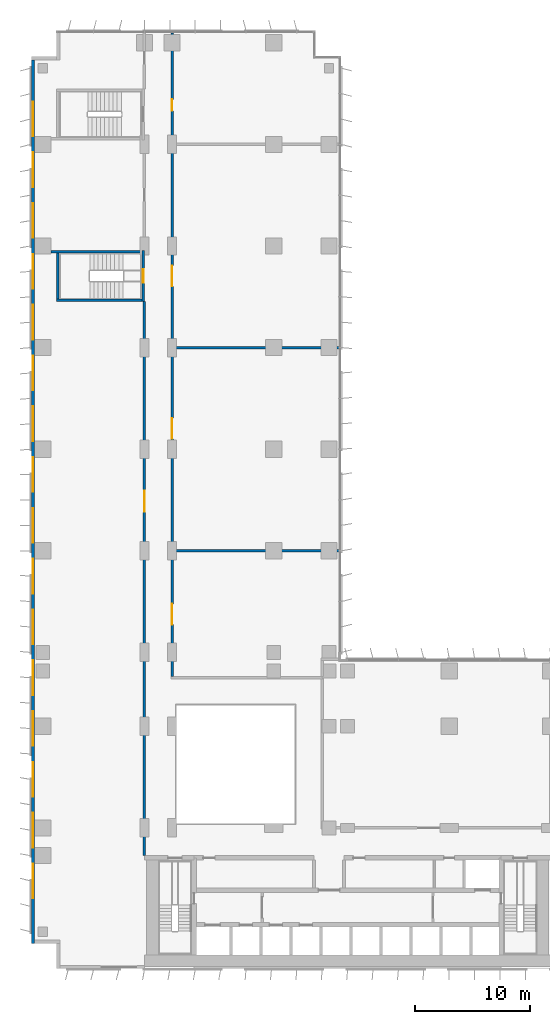
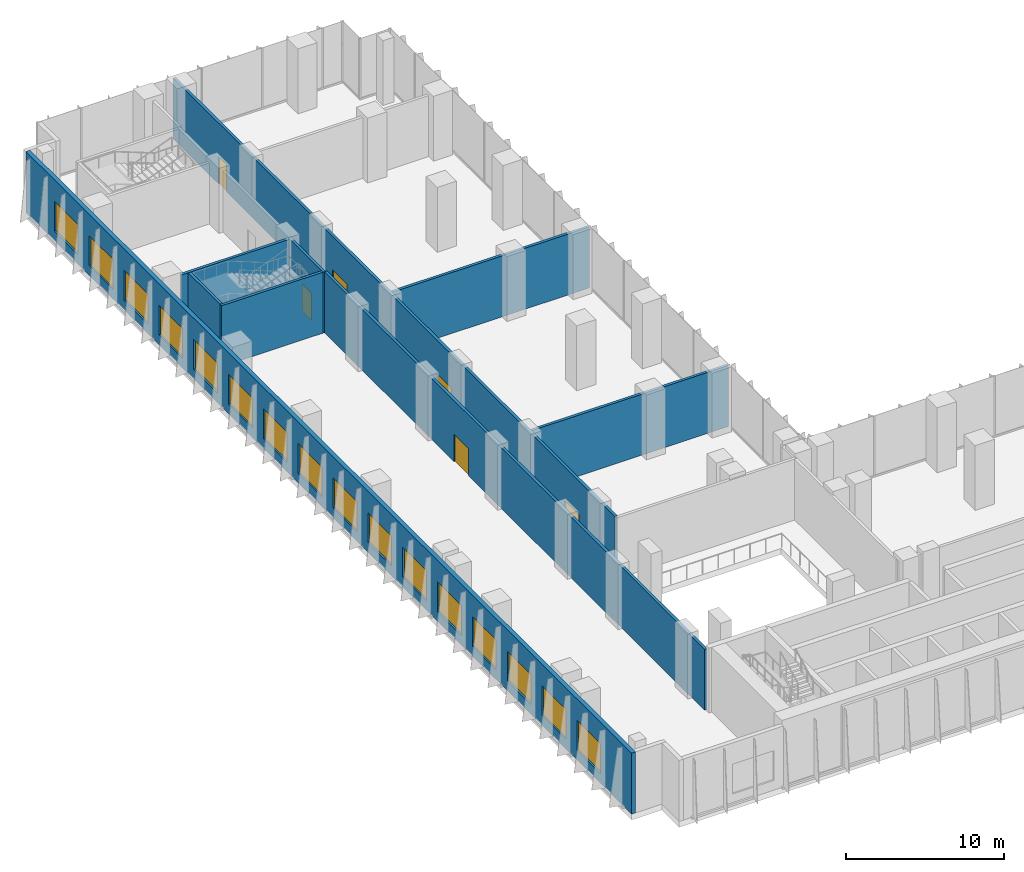
# One storey, part 14 of 23: 16 windows, 9 walls, 6 doors, 22 openings.
"""IFC4 building model written with IfcOpenShell, lengths in metres."""

from ifc_helpers import new_model, si_unit, direction, frame, frame_2d, origin, place, context, subcontext, project, spatial, rectangle, extrude, material, layer, layer_set, type_object, element, fill, save


model = new_model("IFC4")

# Units and contexts
model_context = context("Model", 3, precision=1e-05, world=origin(), true_north=direction((0.0, 1.0)))
body_context = subcontext(model_context, "Body", "Model", "MODEL_VIEW")
ifc_project = project(units=[si_unit("LENGTHUNIT", "METRE"), si_unit("AREAUNIT", "SQUARE_METRE"), si_unit("VOLUMEUNIT", "CUBIC_METRE"), si_unit("PLANEANGLEUNIT", "RADIAN"), si_unit("MASSUNIT", "GRAM", prefix="KILO")], contexts=[model_context])

# Site, building, storey
site_placement = place(None, origin())
site = spatial("IfcSite", under=ifc_project, at=site_placement, CompositionType="ELEMENT")
building_placement = place(site_placement, origin())
building = spatial("IfcBuilding", under=site, at=building_placement, Name="Kemantara Hotel Tower", CompositionType="ELEMENT")
storey_placement = place(building_placement, frame((0.0, 0.0, 71.0)))
storey = spatial("IfcBuildingStorey", under=building, at=storey_placement, Name="L16", CompositionType="ELEMENT", Elevation=71.0)

# Wall, openings, windows
ifc_material_1 = material(Name="Bronze anodised aluminium cladding on insulated steel stud wall", Category="steel")
ifc_layer_1 = layer(ifc_material_1, 0.300048828125)
ifc_layer_set_1 = layer_set([ifc_layer_1], Name="Bronze anodised aluminium cladding on insulated steel stud wall")
wall_type_1 = type_object("IfcWallType", Name="BRONZE METAL-CLAD EXTERNAL WALL 300", PredefinedType="STANDARD", material=ifc_layer_set_1)
wall_1_placement = place(storey_placement, frame((0.14990234375, 78.699951171875, 0.0), z_axis=(0.0, 0.0, 1.0), x_axis=(0.0, -1.0, 0.0)))
wall_1 = element("IfcWall", 1, at=wall_1_placement, inside=storey, type_object=wall_type_1, Name="EXTERNAL WALL L16 T1-R14", PredefinedType="STANDARD", context=body_context, shape_type="SweptSolid", body=[
    extrude(rectangle(XDim=76.5, YDim=0.300048828125, at=frame_2d((38.25, 0.0))), origin(), (0.0, 0.0, 1.0), 4.699951171875),
])
opening_1_placement = place(wall_1_placement, frame((3.60009765625, 0.0, 0.75)))
opening_1 = element("IfcOpeningElement", 2, at=opening_1_placement, cuts=wall_1, Name="Opening W1", PredefinedType="OPENING", context=body_context, shape_type="SweptSolid", body=[
    extrude(rectangle(XDim=3.0, YDim=2.300048828125, at=frame_2d((1.5, 1.14990234375))), frame((0.0, 0.159912109375, 0.0), z_axis=(0.0, -1.0, 0.0), x_axis=(1.0, 0.0, 0.0)), (0.0, 0.0, 1.0), 0.320068359375),
])
opening_2_placement = place(wall_1_placement, frame((8.0, 0.0, 0.75)))
opening_2 = element("IfcOpeningElement", 3, at=opening_2_placement, cuts=wall_1, Name="Opening W1", PredefinedType="OPENING", context=body_context, shape_type="SweptSolid", body=[
    extrude(rectangle(XDim=3.0, YDim=2.300048828125, at=frame_2d((1.5, 1.14990234375))), frame((0.0, 0.159912109375, 0.0), z_axis=(0.0, -1.0, 0.0), x_axis=(1.0, 0.0, 0.0)), (0.0, 0.0, 1.0), 0.320068359375),
])
opening_3_placement = place(wall_1_placement, frame((12.39990234375, 0.0, 0.75)))
opening_3 = element("IfcOpeningElement", 4, at=opening_3_placement, cuts=wall_1, Name="Opening W1", PredefinedType="OPENING", context=body_context, shape_type="SweptSolid", body=[
    extrude(rectangle(XDim=3.0, YDim=2.300048828125, at=frame_2d((1.5, 1.14990234375))), frame((0.0, 0.159912109375, 0.0), z_axis=(0.0, -1.0, 0.0), x_axis=(1.0, 0.0, 0.0)), (0.0, 0.0, 1.0), 0.320068359375),
])
opening_4_placement = place(wall_1_placement, frame((16.800048828125, 0.0, 0.75)))
opening_4 = element("IfcOpeningElement", 5, at=opening_4_placement, cuts=wall_1, Name="Opening W1", PredefinedType="OPENING", context=body_context, shape_type="SweptSolid", body=[
    extrude(rectangle(XDim=3.0, YDim=2.300048828125, at=frame_2d((1.5, 1.14990234375))), frame((0.0, 0.159912109375, 0.0), z_axis=(0.0, -1.0, 0.0), x_axis=(1.0, 0.0, 0.0)), (0.0, 0.0, 1.0), 0.320068359375),
])
opening_5_placement = place(wall_1_placement, frame((21.199951171875, 0.0, 0.75)))
opening_5 = element("IfcOpeningElement", 6, at=opening_5_placement, cuts=wall_1, Name="Opening W1", PredefinedType="OPENING", context=body_context, shape_type="SweptSolid", body=[
    extrude(rectangle(XDim=3.0, YDim=2.300048828125, at=frame_2d((1.5, 1.14990234375))), frame((0.0, 0.159912109375, 0.0), z_axis=(0.0, -1.0, 0.0), x_axis=(1.0, 0.0, 0.0)), (0.0, 0.0, 1.0), 0.320068359375),
])
opening_6_placement = place(wall_1_placement, frame((25.60009765625, 0.0, 0.75)))
opening_6 = element("IfcOpeningElement", 7, at=opening_6_placement, cuts=wall_1, Name="Opening W1", PredefinedType="OPENING", context=body_context, shape_type="SweptSolid", body=[
    extrude(rectangle(XDim=3.0, YDim=2.300048828125, at=frame_2d((1.5, 1.14990234375))), frame((0.0, 0.159912109375, 0.0), z_axis=(0.0, -1.0, 0.0), x_axis=(1.0, 0.0, 0.0)), (0.0, 0.0, 1.0), 0.320068359375),
])
opening_7_placement = place(wall_1_placement, frame((30.0, 0.0, 0.75)))
opening_7 = element("IfcOpeningElement", 8, at=opening_7_placement, cuts=wall_1, Name="Opening W1", PredefinedType="OPENING", context=body_context, shape_type="SweptSolid", body=[
    extrude(rectangle(XDim=3.0, YDim=2.300048828125, at=frame_2d((1.5, 1.14990234375))), frame((0.0, 0.159912109375, 0.0), z_axis=(0.0, -1.0, 0.0), x_axis=(1.0, 0.0, 0.0)), (0.0, 0.0, 1.0), 0.320068359375),
])
opening_8_placement = place(wall_1_placement, frame((34.39990234375, 0.0, 0.75)))
opening_8 = element("IfcOpeningElement", 9, at=opening_8_placement, cuts=wall_1, Name="Opening W1", PredefinedType="OPENING", context=body_context, shape_type="SweptSolid", body=[
    extrude(rectangle(XDim=3.0, YDim=2.300048828125, at=frame_2d((1.5, 1.14990234375))), frame((0.0, 0.159912109375, 0.0), z_axis=(0.0, -1.0, 0.0), x_axis=(1.0, 0.0, 0.0)), (0.0, 0.0, 1.0), 0.320068359375),
])
opening_9_placement = place(wall_1_placement, frame((38.800048828125, 0.0, 0.75)))
opening_9 = element("IfcOpeningElement", 10, at=opening_9_placement, cuts=wall_1, Name="Opening W1", PredefinedType="OPENING", context=body_context, shape_type="SweptSolid", body=[
    extrude(rectangle(XDim=3.0, YDim=2.300048828125, at=frame_2d((1.5, 1.14990234375))), frame((0.0, 0.159912109375, 0.0), z_axis=(0.0, -1.0, 0.0), x_axis=(1.0, 0.0, 0.0)), (0.0, 0.0, 1.0), 0.320068359375),
])
opening_10_placement = place(wall_1_placement, frame((43.199951171875, 0.0, 0.75)))
opening_10 = element("IfcOpeningElement", 11, at=opening_10_placement, cuts=wall_1, Name="Opening W1", PredefinedType="OPENING", context=body_context, shape_type="SweptSolid", body=[
    extrude(rectangle(XDim=3.0, YDim=2.300048828125, at=frame_2d((1.5, 1.14990234375))), frame((0.0, 0.159912109375, 0.0), z_axis=(0.0, -1.0, 0.0), x_axis=(1.0, 0.0, 0.0)), (0.0, 0.0, 1.0), 0.320068359375),
])
opening_11_placement = place(wall_1_placement, frame((47.60009765625, 0.0, 0.75)))
opening_11 = element("IfcOpeningElement", 12, at=opening_11_placement, cuts=wall_1, Name="Opening W1", PredefinedType="OPENING", context=body_context, shape_type="SweptSolid", body=[
    extrude(rectangle(XDim=3.0, YDim=2.300048828125, at=frame_2d((1.5, 1.14990234375))), frame((0.0, 0.159912109375, 0.0), z_axis=(0.0, -1.0, 0.0), x_axis=(1.0, 0.0, 0.0)), (0.0, 0.0, 1.0), 0.320068359375),
])
opening_12_placement = place(wall_1_placement, frame((52.0, 0.0, 0.75)))
opening_12 = element("IfcOpeningElement", 13, at=opening_12_placement, cuts=wall_1, Name="Opening W1", PredefinedType="OPENING", context=body_context, shape_type="SweptSolid", body=[
    extrude(rectangle(XDim=3.0, YDim=2.300048828125, at=frame_2d((1.5, 1.14990234375))), frame((0.0, 0.159912109375, 0.0), z_axis=(0.0, -1.0, 0.0), x_axis=(1.0, 0.0, 0.0)), (0.0, 0.0, 1.0), 0.320068359375),
])
opening_13_placement = place(wall_1_placement, frame((56.39990234375, 0.0, 0.75)))
opening_13 = element("IfcOpeningElement", 14, at=opening_13_placement, cuts=wall_1, Name="Opening W1", PredefinedType="OPENING", context=body_context, shape_type="SweptSolid", body=[
    extrude(rectangle(XDim=3.0, YDim=2.300048828125, at=frame_2d((1.5, 1.14990234375))), frame((0.0, 0.159912109375, 0.0), z_axis=(0.0, -1.0, 0.0), x_axis=(1.0, 0.0, 0.0)), (0.0, 0.0, 1.0), 0.320068359375),
])
opening_14_placement = place(wall_1_placement, frame((60.800048828125, 0.0, 0.75)))
opening_14 = element("IfcOpeningElement", 15, at=opening_14_placement, cuts=wall_1, Name="Opening W1", PredefinedType="OPENING", context=body_context, shape_type="SweptSolid", body=[
    extrude(rectangle(XDim=3.0, YDim=2.300048828125, at=frame_2d((1.5, 1.14990234375))), frame((0.0, 0.159912109375, 0.0), z_axis=(0.0, -1.0, 0.0), x_axis=(1.0, 0.0, 0.0)), (0.0, 0.0, 1.0), 0.320068359375),
])
opening_15_placement = place(wall_1_placement, frame((65.199951171875, 0.0, 0.75)))
opening_15 = element("IfcOpeningElement", 16, at=opening_15_placement, cuts=wall_1, Name="Opening W1", PredefinedType="OPENING", context=body_context, shape_type="SweptSolid", body=[
    extrude(rectangle(XDim=3.0, YDim=2.300048828125, at=frame_2d((1.5, 1.14990234375))), frame((0.0, 0.159912109375, 0.0), z_axis=(0.0, -1.0, 0.0), x_axis=(1.0, 0.0, 0.0)), (0.0, 0.0, 1.0), 0.320068359375),
])
opening_16_placement = place(wall_1_placement, frame((69.60009765625, 0.0, 0.75)))
opening_16 = element("IfcOpeningElement", 17, at=opening_16_placement, cuts=wall_1, Name="Opening W1", PredefinedType="OPENING", context=body_context, shape_type="SweptSolid", body=[
    extrude(rectangle(XDim=3.0, YDim=2.300048828125, at=frame_2d((1.5, 1.14990234375))), frame((0.0, 0.159912109375, 0.0), z_axis=(0.0, -1.0, 0.0), x_axis=(1.0, 0.0, 0.0)), (0.0, 0.0, 1.0), 0.320068359375),
])
ifc_material_2 = material(Name="Low-E tinted double insulated glass in bronze anodised aluminium frame", Category="aluminium")
window_type = type_object("IfcWindowType", Name="CHICAGO WINDOW, TRIPLE PANEL 3000x2300", PartitioningType="TRIPLE_PANEL_VERTICAL", PredefinedType="WINDOW", material=ifc_material_2)
window_1_placement = place(opening_1_placement, origin())
window_1 = element("IfcWindow", 18, at=window_1_placement, inside=storey, type_object=window_type, Name="CHICAGO WINDOW L16 T1-R14-54", OverallHeight=2.300048828125, OverallWidth=3.0, PartitioningType="SINGLE_PANEL", PredefinedType="WINDOW", context=body_context, shape_type="SweptSolid", body=[
    extrude(rectangle(XDim=3.0, YDim=2.300048828125, at=frame_2d((1.5, 1.14990234375))), frame((0.0, 0.030029296875, 0.0), z_axis=(0.0, -1.0, 0.0), x_axis=(1.0, 0.0, 0.0)), (0.0, 0.0, 1.0), 0.06005859375),
])
fill(opening_1, window_1)
window_2_placement = place(opening_2_placement, origin())
window_2 = element("IfcWindow", 19, at=window_2_placement, inside=storey, type_object=window_type, Name="CHICAGO WINDOW L16 T1-R14-98", OverallHeight=2.300048828125, OverallWidth=3.0, PartitioningType="SINGLE_PANEL", PredefinedType="WINDOW", context=body_context, shape_type="SweptSolid", body=[
    extrude(rectangle(XDim=3.0, YDim=2.300048828125, at=frame_2d((1.5, 1.14990234375))), frame((0.0, 0.030029296875, 0.0), z_axis=(0.0, -1.0, 0.0), x_axis=(1.0, 0.0, 0.0)), (0.0, 0.0, 1.0), 0.06005859375),
])
fill(opening_2, window_2)
window_3_placement = place(opening_3_placement, origin())
window_3 = element("IfcWindow", 20, at=window_3_placement, inside=storey, type_object=window_type, Name="CHICAGO WINDOW L16 T1-R14-142", OverallHeight=2.300048828125, OverallWidth=3.0, PartitioningType="SINGLE_PANEL", PredefinedType="WINDOW", context=body_context, shape_type="SweptSolid", body=[
    extrude(rectangle(XDim=3.0, YDim=2.300048828125, at=frame_2d((1.5, 1.14990234375))), frame((0.0, 0.030029296875, 0.0), z_axis=(0.0, -1.0, 0.0), x_axis=(1.0, 0.0, 0.0)), (0.0, 0.0, 1.0), 0.06005859375),
])
fill(opening_3, window_3)
window_4_placement = place(opening_4_placement, origin())
window_4 = element("IfcWindow", 21, at=window_4_placement, inside=storey, type_object=window_type, Name="CHICAGO WINDOW L16 T1-R14-186", OverallHeight=2.300048828125, OverallWidth=3.0, PartitioningType="SINGLE_PANEL", PredefinedType="WINDOW", context=body_context, shape_type="SweptSolid", body=[
    extrude(rectangle(XDim=3.0, YDim=2.300048828125, at=frame_2d((1.5, 1.14990234375))), frame((0.0, 0.030029296875, 0.0), z_axis=(0.0, -1.0, 0.0), x_axis=(1.0, 0.0, 0.0)), (0.0, 0.0, 1.0), 0.06005859375),
])
fill(opening_4, window_4)
window_5_placement = place(opening_5_placement, origin())
window_5 = element("IfcWindow", 22, at=window_5_placement, inside=storey, type_object=window_type, Name="CHICAGO WINDOW L16 T1-R14-230", OverallHeight=2.300048828125, OverallWidth=3.0, PartitioningType="SINGLE_PANEL", PredefinedType="WINDOW", context=body_context, shape_type="SweptSolid", body=[
    extrude(rectangle(XDim=3.0, YDim=2.300048828125, at=frame_2d((1.5, 1.14990234375))), frame((0.0, 0.030029296875, 0.0), z_axis=(0.0, -1.0, 0.0), x_axis=(1.0, 0.0, 0.0)), (0.0, 0.0, 1.0), 0.06005859375),
])
fill(opening_5, window_5)
window_6_placement = place(opening_6_placement, origin())
window_6 = element("IfcWindow", 23, at=window_6_placement, inside=storey, type_object=window_type, Name="CHICAGO WINDOW L16 T1-R14-274", OverallHeight=2.300048828125, OverallWidth=3.0, PartitioningType="SINGLE_PANEL", PredefinedType="WINDOW", context=body_context, shape_type="SweptSolid", body=[
    extrude(rectangle(XDim=3.0, YDim=2.300048828125, at=frame_2d((1.5, 1.14990234375))), frame((0.0, 0.030029296875, 0.0), z_axis=(0.0, -1.0, 0.0), x_axis=(1.0, 0.0, 0.0)), (0.0, 0.0, 1.0), 0.06005859375),
])
fill(opening_6, window_6)
window_7_placement = place(opening_7_placement, origin())
window_7 = element("IfcWindow", 24, at=window_7_placement, inside=storey, type_object=window_type, Name="CHICAGO WINDOW L16 T1-R14-318", OverallHeight=2.300048828125, OverallWidth=3.0, PartitioningType="SINGLE_PANEL", PredefinedType="WINDOW", context=body_context, shape_type="SweptSolid", body=[
    extrude(rectangle(XDim=3.0, YDim=2.300048828125, at=frame_2d((1.5, 1.14990234375))), frame((0.0, 0.030029296875, 0.0), z_axis=(0.0, -1.0, 0.0), x_axis=(1.0, 0.0, 0.0)), (0.0, 0.0, 1.0), 0.06005859375),
])
fill(opening_7, window_7)
window_8_placement = place(opening_8_placement, origin())
window_8 = element("IfcWindow", 25, at=window_8_placement, inside=storey, type_object=window_type, Name="CHICAGO WINDOW L16 T1-R14-362", OverallHeight=2.300048828125, OverallWidth=3.0, PartitioningType="SINGLE_PANEL", PredefinedType="WINDOW", context=body_context, shape_type="SweptSolid", body=[
    extrude(rectangle(XDim=3.0, YDim=2.300048828125, at=frame_2d((1.5, 1.14990234375))), frame((0.0, 0.030029296875, 0.0), z_axis=(0.0, -1.0, 0.0), x_axis=(1.0, 0.0, 0.0)), (0.0, 0.0, 1.0), 0.06005859375),
])
fill(opening_8, window_8)
window_9_placement = place(opening_9_placement, origin())
window_9 = element("IfcWindow", 26, at=window_9_placement, inside=storey, type_object=window_type, Name="CHICAGO WINDOW L16 T1-R14-406", OverallHeight=2.300048828125, OverallWidth=3.0, PartitioningType="SINGLE_PANEL", PredefinedType="WINDOW", context=body_context, shape_type="SweptSolid", body=[
    extrude(rectangle(XDim=3.0, YDim=2.300048828125, at=frame_2d((1.5, 1.14990234375))), frame((0.0, 0.030029296875, 0.0), z_axis=(0.0, -1.0, 0.0), x_axis=(1.0, 0.0, 0.0)), (0.0, 0.0, 1.0), 0.06005859375),
])
fill(opening_9, window_9)
window_10_placement = place(opening_10_placement, origin())
window_10 = element("IfcWindow", 27, at=window_10_placement, inside=storey, type_object=window_type, Name="CHICAGO WINDOW L16 T1-R14-450", OverallHeight=2.300048828125, OverallWidth=3.0, PartitioningType="SINGLE_PANEL", PredefinedType="WINDOW", context=body_context, shape_type="SweptSolid", body=[
    extrude(rectangle(XDim=3.0, YDim=2.300048828125, at=frame_2d((1.5, 1.14990234375))), frame((0.0, 0.030029296875, 0.0), z_axis=(0.0, -1.0, 0.0), x_axis=(1.0, 0.0, 0.0)), (0.0, 0.0, 1.0), 0.06005859375),
])
fill(opening_10, window_10)
window_11_placement = place(opening_11_placement, origin())
window_11 = element("IfcWindow", 28, at=window_11_placement, inside=storey, type_object=window_type, Name="CHICAGO WINDOW L16 T1-R14-494", OverallHeight=2.300048828125, OverallWidth=3.0, PartitioningType="SINGLE_PANEL", PredefinedType="WINDOW", context=body_context, shape_type="SweptSolid", body=[
    extrude(rectangle(XDim=3.0, YDim=2.300048828125, at=frame_2d((1.5, 1.14990234375))), frame((0.0, 0.030029296875, 0.0), z_axis=(0.0, -1.0, 0.0), x_axis=(1.0, 0.0, 0.0)), (0.0, 0.0, 1.0), 0.06005859375),
])
fill(opening_11, window_11)
window_12_placement = place(opening_12_placement, origin())
window_12 = element("IfcWindow", 29, at=window_12_placement, inside=storey, type_object=window_type, Name="CHICAGO WINDOW L16 T1-R14-538", OverallHeight=2.300048828125, OverallWidth=3.0, PartitioningType="SINGLE_PANEL", PredefinedType="WINDOW", context=body_context, shape_type="SweptSolid", body=[
    extrude(rectangle(XDim=3.0, YDim=2.300048828125, at=frame_2d((1.5, 1.14990234375))), frame((0.0, 0.030029296875, 0.0), z_axis=(0.0, -1.0, 0.0), x_axis=(1.0, 0.0, 0.0)), (0.0, 0.0, 1.0), 0.06005859375),
])
fill(opening_12, window_12)
window_13_placement = place(opening_13_placement, origin())
window_13 = element("IfcWindow", 30, at=window_13_placement, inside=storey, type_object=window_type, Name="CHICAGO WINDOW L16 T1-R14-582", OverallHeight=2.300048828125, OverallWidth=3.0, PartitioningType="SINGLE_PANEL", PredefinedType="WINDOW", context=body_context, shape_type="SweptSolid", body=[
    extrude(rectangle(XDim=3.0, YDim=2.300048828125, at=frame_2d((1.5, 1.14990234375))), frame((0.0, 0.030029296875, 0.0), z_axis=(0.0, -1.0, 0.0), x_axis=(1.0, 0.0, 0.0)), (0.0, 0.0, 1.0), 0.06005859375),
])
fill(opening_13, window_13)
window_14_placement = place(opening_14_placement, origin())
window_14 = element("IfcWindow", 31, at=window_14_placement, inside=storey, type_object=window_type, Name="CHICAGO WINDOW L16 T1-R14-626", OverallHeight=2.300048828125, OverallWidth=3.0, PartitioningType="SINGLE_PANEL", PredefinedType="WINDOW", context=body_context, shape_type="SweptSolid", body=[
    extrude(rectangle(XDim=3.0, YDim=2.300048828125, at=frame_2d((1.5, 1.14990234375))), frame((0.0, 0.030029296875, 0.0), z_axis=(0.0, -1.0, 0.0), x_axis=(1.0, 0.0, 0.0)), (0.0, 0.0, 1.0), 0.06005859375),
])
fill(opening_14, window_14)
window_15_placement = place(opening_15_placement, origin())
window_15 = element("IfcWindow", 32, at=window_15_placement, inside=storey, type_object=window_type, Name="CHICAGO WINDOW L16 T1-R14-670", OverallHeight=2.300048828125, OverallWidth=3.0, PartitioningType="SINGLE_PANEL", PredefinedType="WINDOW", context=body_context, shape_type="SweptSolid", body=[
    extrude(rectangle(XDim=3.0, YDim=2.300048828125, at=frame_2d((1.5, 1.14990234375))), frame((0.0, 0.030029296875, 0.0), z_axis=(0.0, -1.0, 0.0), x_axis=(1.0, 0.0, 0.0)), (0.0, 0.0, 1.0), 0.06005859375),
])
fill(opening_15, window_15)
window_16_placement = place(opening_16_placement, origin())
window_16 = element("IfcWindow", 33, at=window_16_placement, inside=storey, type_object=window_type, Name="CHICAGO WINDOW L16 T1-R14-714", OverallHeight=2.300048828125, OverallWidth=3.0, PartitioningType="SINGLE_PANEL", PredefinedType="WINDOW", context=body_context, shape_type="SweptSolid", body=[
    extrude(rectangle(XDim=3.0, YDim=2.300048828125, at=frame_2d((1.5, 1.14990234375))), frame((0.0, 0.030029296875, 0.0), z_axis=(0.0, -1.0, 0.0), x_axis=(1.0, 0.0, 0.0)), (0.0, 0.0, 1.0), 0.06005859375),
])
fill(opening_16, window_16)

# Wall, opening, door
ifc_material_3 = material(Name="Concrete fc 40 MPa", Category="concrete")
ifc_layer_2 = layer(ifc_material_3, 0.199951171875)
ifc_layer_set_2 = layer_set([ifc_layer_2], Name="Concrete fc 40 MPa")
wall_type_2 = type_object("IfcWallType", Name="Concrete stair wall 200 mm", PredefinedType="SHEAR", material=ifc_layer_set_2)
wall_2_placement = place(storey_placement, frame((9.699951171875, 57.800048828125, 0.0), z_axis=(0.0, 0.0, 1.0), x_axis=(0.0, 1.0, 0.0)))
wall_2 = element("IfcWall", 34, at=wall_2_placement, inside=storey, type_object=wall_type_2, Name="Stair ST4 enclosure wall with door", PredefinedType="SHEAR", context=body_context, shape_type="SweptSolid", body=[
    extrude(rectangle(XDim=4.39990234375, YDim=0.199951171875, at=frame_2d((2.199951171875, 0.0))), origin(), (0.0, 0.0, 1.0), 4.699951171875),
])
opening_17_placement = place(wall_2_placement, frame((1.60009765625, 0.0, 0.0)))
opening_17 = element("IfcOpeningElement", 35, at=opening_17_placement, cuts=wall_2, Name="Opening ST4-C", PredefinedType="OPENING", context=body_context, shape_type="SweptSolid", body=[
    extrude(rectangle(XDim=1.199951171875, YDim=2.10009765625, at=frame_2d((0.60009765625, 1.050048828125))), frame((0.0, 0.10986328125, 0.0), z_axis=(0.0, -1.0, 0.0), x_axis=(1.0, 0.0, 0.0)), (0.0, 0.0, 1.0), 0.219970703125),
])
ifc_material_4 = material(Name="Steel fire door", Category="steel")
door_type_1 = type_object("IfcDoorType", Name="Fire door FD90 1200 x 2100", OperationType="NOTDEFINED", PredefinedType="DOOR", material=ifc_material_4)
door_1_placement = place(opening_17_placement, origin())
door_1 = element("IfcDoor", 36, at=door_1_placement, inside=storey, type_object=door_type_1, Name="Stair ST4 door", OperationType="SINGLE_SWING_RIGHT", OverallHeight=2.10009765625, OverallWidth=1.199951171875, PredefinedType="DOOR", context=body_context, shape_type="SweptSolid", body=[
    extrude(rectangle(XDim=1.199951171875, YDim=2.10009765625, at=frame_2d((0.60009765625, 1.050048828125))), frame((0.0, 0.02490234375, 0.0), z_axis=(0.0, -1.0, 0.0), x_axis=(1.0, 0.0, 0.0)), (0.0, 0.0, 1.0), 0.050048828125),
])
fill(opening_17, door_1)

# Walls
wall_3_placement = place(storey_placement, frame((1.699951171875, 62.10009765625, 0.0), z_axis=(0.0, 0.0, 1.0), x_axis=(1.0, 0.0, 0.0)))
element("IfcWall", 37, at=wall_3_placement, inside=storey, type_object=wall_type_2, Name="Stair ST4 enclosure wall N", PredefinedType="SHEAR", context=body_context, shape_type="SweptSolid", body=[
    extrude(rectangle(XDim=7.900146484375, YDim=0.199951171875, at=frame_2d((3.9501953125, 0.0))), origin(), (0.0, 0.0, 1.0), 4.699951171875),
])
wall_4_placement = place(storey_placement, frame((2.199951171875, 57.89990234375, 0.0), z_axis=(0.0, 0.0, 1.0), x_axis=(1.0, 0.0, 0.0)))
element("IfcWall", 38, at=wall_4_placement, inside=storey, type_object=wall_type_2, Name="Stair ST4 enclosure wall S", PredefinedType="SHEAR", context=body_context, shape_type="SweptSolid", body=[
    extrude(rectangle(XDim=7.400146484375, YDim=0.199951171875, at=frame_2d((3.7001953125, 0.0))), origin(), (0.0, 0.0, 1.0), 4.699951171875),
])
wall_5_placement = place(storey_placement, frame((2.300048828125, 58.0, 0.0), z_axis=(0.0, 0.0, 1.0), x_axis=(0.0, 1.0, 0.0)))
element("IfcWall", 39, at=wall_5_placement, inside=storey, type_object=wall_type_2, Name="Stair ST4 enclosure wall W", PredefinedType="SHEAR", context=body_context, shape_type="SweptSolid", body=[
    extrude(rectangle(XDim=4.0, YDim=0.199951171875, at=frame_2d((2.0, 0.0))), origin(), (0.0, 0.0, 1.0), 4.699951171875),
])
ifc_material_5 = material(Name="Clay brick masonry", Category="masonry")
ifc_layer_3 = layer(ifc_material_5, 0.199951171875)
ifc_layer_set_3 = layer_set([ifc_layer_3], Name="Clay brick masonry")
wall_type_3 = type_object("IfcWallType", Name="FIRE-RATED CLAY BRICK WALL 200 EI 120", PredefinedType="PARTITIONING", material=ifc_layer_set_3)
for number, where, z_axis, x_axis, name in (
    (40, (12.300048828125, 36.199951171875, 0.0), (0.0, 0.0, 1.0), (1.0, 0.0, 0.0), "FIRE WALL"),
    (41, (12.300048828125, 53.800048828125, 0.0), (0.0, 0.0, 1.0), (1.0, 0.0, 0.0), "FIRE WALL"),
):
    element("IfcWall", number, at=place(storey_placement, frame(where, z_axis=z_axis, x_axis=x_axis)), inside=storey, type_object=wall_type_3, Name=name, PredefinedType="PARTITIONING", context=body_context, shape_type="SweptSolid", body=[
        extrude(rectangle(XDim=14.349853515625, YDim=0.199951171875, at=frame_2d((7.1748046875, 0.0))), origin(), (0.0, 0.0, 1.0), 4.699951171875),
    ])

# Wall, opening, door
ifc_material_6 = material(Name="Fire-rated gypsum board partition")
ifc_layer_4 = layer(ifc_material_6, 0.199951171875)
ifc_layer_set_4 = layer_set([ifc_layer_4], Name="Fire-rated gypsum board partition")
wall_type_4 = type_object("IfcWallType", Name="FIRE-RATED GYPSUM PARTITION 200 EI 60", PredefinedType="PARTITIONING", material=ifc_layer_set_4)
wall_6_placement = place(storey_placement, frame((9.800048828125, 9.800048828125, 0.0), z_axis=(0.0, 0.0, 1.0), x_axis=(0.0, 1.0, 0.0)))
wall_6 = element("IfcWall", 42, at=wall_6_placement, inside=storey, type_object=wall_type_4, Name="FIRE-RATED PARTITION", PredefinedType="PARTITIONING", context=body_context, shape_type="SweptSolid", body=[
    extrude(rectangle(XDim=48.0, YDim=0.199951171875, at=frame_2d((24.0, 0.0))), origin(), (0.0, 0.0, 1.0), 4.699951171875),
])
opening_18_placement = place(wall_6_placement, frame((29.800048828125, 0.0, 0.0)))
opening_18 = element("IfcOpeningElement", 43, at=opening_18_placement, cuts=wall_6, Name="Opening L16-B012", PredefinedType="OPENING", context=body_context, shape_type="SweptSolid", body=[
    extrude(rectangle(XDim=1.800048828125, YDim=2.10009765625, at=frame_2d((0.89990234375, 1.050048828125))), frame((0.0, 0.10986328125, 0.0), z_axis=(0.0, -1.0, 0.0), x_axis=(1.0, 0.0, 0.0)), (0.0, 0.0, 1.0), 0.219970703125),
])
ifc_material_7 = material(Name="Galvanised steel door leaf", Category="steel")
door_type_2 = type_object("IfcDoorType", Name="FIRE-RATED STEEL DOOR DOUBLE LEAF 1800 X 2100", OperationType="DOUBLE_DOOR_SINGLE_SWING", PredefinedType="DOOR", material=ifc_material_7)
door_2_placement = place(opening_18_placement, frame((1.800048828125, 0.0, 0.0), z_axis=(0.0, 0.0, 1.0), x_axis=(-1.0, 0.0, 0.0)))
door_2 = element("IfcDoor", 44, at=door_2_placement, inside=storey, type_object=door_type_2, Name="FIRE-RATED STEEL DOOR DOUBLE LEAF", OperationType="DOUBLE_DOOR_SINGLE_SWING", OverallHeight=2.10009765625, OverallWidth=1.800048828125, PredefinedType="DOOR", context=body_context, shape_type="SweptSolid", body=[
    extrude(rectangle(XDim=1.800048828125, YDim=2.10009765625, at=frame_2d((0.89990234375, 1.050048828125))), frame((0.0, 0.02490234375, 0.0), z_axis=(0.0, -1.0, 0.0), x_axis=(1.0, 0.0, 0.0)), (0.0, 0.0, 1.0), 0.050048828125),
])
fill(opening_18, door_2)

# Wall, openings, doors
wall_7_placement = place(storey_placement, frame((12.199951171875, 25.300048828125, 0.0), z_axis=(0.0, 0.0, 1.0), x_axis=(0.0, 1.0, 0.0)))
wall_7 = element("IfcWall", 45, at=wall_7_placement, inside=storey, type_object=wall_type_4, Name="FIRE-RATED PARTITION", PredefinedType="PARTITIONING", context=body_context, shape_type="SweptSolid", body=[
    extrude(rectangle(XDim=55.75, YDim=0.199951171875, at=frame_2d((27.875, 0.0))), origin(), (0.0, 0.0, 1.0), 4.699951171875),
])
opening_19_placement = place(wall_7_placement, frame((4.5, 0.0, 0.0)))
opening_19 = element("IfcOpeningElement", 46, at=opening_19_placement, cuts=wall_7, Name="Opening L16-B008", PredefinedType="OPENING", context=body_context, shape_type="SweptSolid", body=[
    extrude(rectangle(XDim=1.800048828125, YDim=2.10009765625, at=frame_2d((0.89990234375, 1.050048828125))), frame((0.0, 0.10986328125, 0.0), z_axis=(0.0, -1.0, 0.0), x_axis=(1.0, 0.0, 0.0)), (0.0, 0.0, 1.0), 0.219970703125),
])
opening_20_placement = place(wall_7_placement, frame((20.60009765625, 0.0, 0.0)))
opening_20 = element("IfcOpeningElement", 47, at=opening_20_placement, cuts=wall_7, Name="Opening L16-B009", PredefinedType="OPENING", context=body_context, shape_type="SweptSolid", body=[
    extrude(rectangle(XDim=1.800048828125, YDim=2.10009765625, at=frame_2d((0.89990234375, 1.050048828125))), frame((0.0, 0.10986328125, 0.0), z_axis=(0.0, -1.0, 0.0), x_axis=(1.0, 0.0, 0.0)), (0.0, 0.0, 1.0), 0.219970703125),
])
opening_21_placement = place(wall_7_placement, frame((33.800048828125, 0.0, 0.0)))
opening_21 = element("IfcOpeningElement", 48, at=opening_21_placement, cuts=wall_7, Name="Opening L16-B010", PredefinedType="OPENING", context=body_context, shape_type="SweptSolid", body=[
    extrude(rectangle(XDim=1.800048828125, YDim=2.10009765625, at=frame_2d((0.89990234375, 1.050048828125))), frame((0.0, 0.10986328125, 0.0), z_axis=(0.0, -1.0, 0.0), x_axis=(1.0, 0.0, 0.0)), (0.0, 0.0, 1.0), 0.219970703125),
])
opening_22_placement = place(wall_7_placement, frame((49.0, 0.0, 0.0)))
opening_22 = element("IfcOpeningElement", 49, at=opening_22_placement, cuts=wall_7, Name="Opening L16-B011", PredefinedType="OPENING", context=body_context, shape_type="SweptSolid", body=[
    extrude(rectangle(XDim=1.0, YDim=2.10009765625, at=frame_2d((0.5, 1.050048828125))), frame((0.0, 0.10986328125, 0.0), z_axis=(0.0, -1.0, 0.0), x_axis=(1.0, 0.0, 0.0)), (0.0, 0.0, 1.0), 0.219970703125),
])
door_type_3 = type_object("IfcDoorType", Name="FIRE-RATED STEEL DOOR 1000 X 2100", OperationType="SINGLE_SWING_LEFT", PredefinedType="DOOR", material=ifc_material_7)
door_3_placement = place(opening_22_placement, origin())
door_3 = element("IfcDoor", 50, at=door_3_placement, inside=storey, type_object=door_type_3, Name="FIRE-RATED STEEL DOOR", OperationType="SINGLE_SWING_RIGHT", OverallHeight=2.10009765625, OverallWidth=1.0, PredefinedType="DOOR", context=body_context, shape_type="SweptSolid", body=[
    extrude(rectangle(XDim=1.0, YDim=2.10009765625, at=frame_2d((0.5, 1.050048828125))), frame((0.0, 0.02490234375, 0.0), z_axis=(0.0, -1.0, 0.0), x_axis=(1.0, 0.0, 0.0)), (0.0, 0.0, 1.0), 0.050048828125),
])
fill(opening_22, door_3)
door_4_placement = place(opening_19_placement, origin())
door_4 = element("IfcDoor", 51, at=door_4_placement, inside=storey, type_object=door_type_2, Name="FIRE-RATED STEEL DOOR DOUBLE LEAF", OperationType="DOUBLE_DOOR_SINGLE_SWING", OverallHeight=2.10009765625, OverallWidth=1.800048828125, PredefinedType="DOOR", context=body_context, shape_type="SweptSolid", body=[
    extrude(rectangle(XDim=1.800048828125, YDim=2.10009765625, at=frame_2d((0.89990234375, 1.050048828125))), frame((0.0, 0.02490234375, 0.0), z_axis=(0.0, -1.0, 0.0), x_axis=(1.0, 0.0, 0.0)), (0.0, 0.0, 1.0), 0.050048828125),
])
fill(opening_19, door_4)
door_5_placement = place(opening_20_placement, origin())
door_5 = element("IfcDoor", 52, at=door_5_placement, inside=storey, type_object=door_type_2, Name="FIRE-RATED STEEL DOOR DOUBLE LEAF", OperationType="DOUBLE_DOOR_SINGLE_SWING", OverallHeight=2.10009765625, OverallWidth=1.800048828125, PredefinedType="DOOR", context=body_context, shape_type="SweptSolid", body=[
    extrude(rectangle(XDim=1.800048828125, YDim=2.10009765625, at=frame_2d((0.89990234375, 1.050048828125))), frame((0.0, 0.02490234375, 0.0), z_axis=(0.0, -1.0, 0.0), x_axis=(1.0, 0.0, 0.0)), (0.0, 0.0, 1.0), 0.050048828125),
])
fill(opening_20, door_5)
door_6_placement = place(opening_21_placement, origin())
door_6 = element("IfcDoor", 53, at=door_6_placement, inside=storey, type_object=door_type_2, Name="FIRE-RATED STEEL DOOR DOUBLE LEAF", OperationType="DOUBLE_DOOR_SINGLE_SWING", OverallHeight=2.10009765625, OverallWidth=1.800048828125, PredefinedType="DOOR", context=body_context, shape_type="SweptSolid", body=[
    extrude(rectangle(XDim=1.800048828125, YDim=2.10009765625, at=frame_2d((0.89990234375, 1.050048828125))), frame((0.0, 0.02490234375, 0.0), z_axis=(0.0, -1.0, 0.0), x_axis=(1.0, 0.0, 0.0)), (0.0, 0.0, 1.0), 0.050048828125),
])
fill(opening_21, door_6)

save(model, "model.ifc")
